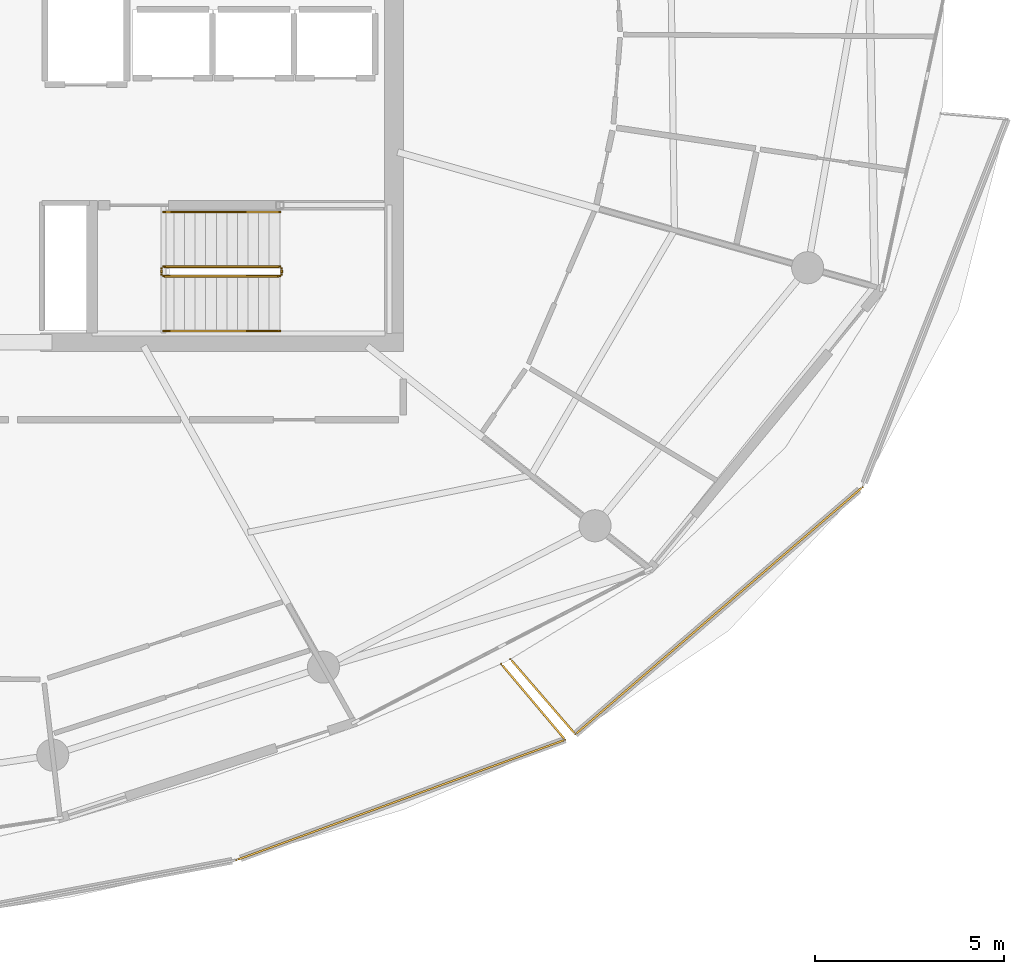
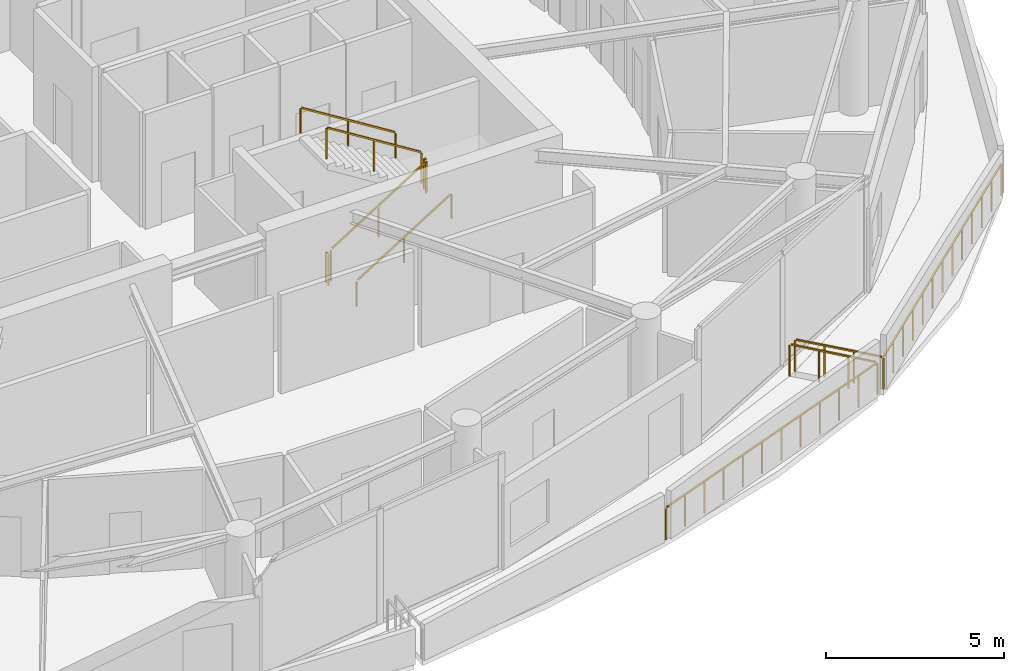
# One storey, part 18 of 20: 10 railings.
"""IFC4 building model written with IfcOpenShell, lengths in metres."""

from ifc_helpers import new_model, si_unit, direction, frame, origin, origin_2d, place, context, subcontext, project, spatial, rectangle, extrude, material, type_object, element, save


model = new_model("IFC4")

# Units and contexts
model_context = context("Model", 3, precision=1e-05, world=origin(), true_north=direction((0.0, 1.0)))
body_context = subcontext(model_context, "Body", "Model", "MODEL_VIEW")
ifc_project = project(units=[si_unit("LENGTHUNIT", "METRE"), si_unit("AREAUNIT", "SQUARE_METRE"), si_unit("VOLUMEUNIT", "CUBIC_METRE"), si_unit("PLANEANGLEUNIT", "RADIAN"), si_unit("MASSUNIT", "GRAM", prefix="KILO")], contexts=[model_context])

# Site, building, storey
site_placement = place(None, origin())
site = spatial("IfcSite", under=ifc_project, at=site_placement, CompositionType="ELEMENT")
building_placement = place(site_placement, origin())
building = spatial("IfcBuilding", under=site, at=building_placement, Name="Kazma Halo Residences", CompositionType="ELEMENT")
storey_placement = place(building_placement, frame((0.0, 0.0, 317.89990234375)))
storey = spatial("IfcBuildingStorey", under=building, at=storey_placement, Name="L80", CompositionType="ELEMENT", Elevation=317.89990234375)

# Railings
ifc_material_1 = material(Name="Aluminium AW-6063 T6 Brushed Cap Rail", Category="aluminium")
railing_type_1 = type_object("IfcRailingType", Name="RLG-BAL-CAP-1120", PredefinedType="BALUSTRADE", material=ifc_material_1)
railing_1_placement = place(storey_placement, frame((55.134033203125, 20.0439453125, 0.0)))
element("IfcRailing", 1, at=railing_1_placement, inside=storey, type_object=railing_type_1, Name="L80 SSE wave balcony guard 3", PredefinedType="BALUSTRADE", context=body_context, shape_type="SweptSolid", body=[
    extrude(rectangle(XDim=0.050048828125, YDim=0.050048828125, at=origin_2d()), frame((0.0400390625, 0.0146484375, 1.09521484375), z_axis=(0.939112276344, 0.343610437007, 0.0), x_axis=(-0.343610437007, 0.939112276344, 0.0)), (0.0, 0.0, 1.0), 9.1806640625),
    extrude(rectangle(XDim=0.0400390625, YDim=0.0400390625, at=origin_2d()), origin(), (0.0, 0.0, 1.0), 1.05810546875),
    extrude(rectangle(XDim=0.0400390625, YDim=0.0400390625, at=origin_2d()), frame((0.791015625, 0.28955078125, 0.0)), (0.0, 0.0, 1.0), 1.05810546875),
    extrude(rectangle(XDim=0.0400390625, YDim=0.0400390625, at=origin_2d()), frame((1.58203125, 0.578857421875, 0.0)), (0.0, 0.0, 1.0), 1.05810546875),
    extrude(rectangle(XDim=0.0400390625, YDim=0.0400390625, at=origin_2d()), frame((2.373291015625, 0.868408203125, 0.0)), (0.0, 0.0, 1.0), 1.05810546875),
    extrude(rectangle(XDim=0.0400390625, YDim=0.0400390625, at=origin_2d()), frame((3.164306640625, 1.15771484375, 0.0)), (0.0, 0.0, 1.0), 1.05810546875),
    extrude(rectangle(XDim=0.0400390625, YDim=0.0400390625, at=origin_2d()), frame((3.955322265625, 1.447265625, 0.0)), (0.0, 0.0, 1.0), 1.05810546875),
    extrude(rectangle(XDim=0.0400390625, YDim=0.0400390625, at=origin_2d()), frame((4.746337890625, 1.736572265625, 0.0)), (0.0, 0.0, 1.0), 1.05810546875),
    extrude(rectangle(XDim=0.0400390625, YDim=0.0400390625, at=origin_2d()), frame((5.537353515625, 2.026123046875, 0.0)), (0.0, 0.0, 1.0), 1.05810546875),
    extrude(rectangle(XDim=0.0400390625, YDim=0.0400390625, at=origin_2d()), frame((6.328369140625, 2.3154296875, 0.0)), (0.0, 0.0, 1.0), 1.05810546875),
    extrude(rectangle(XDim=0.0400390625, YDim=0.0400390625, at=origin_2d()), frame((7.11962890625, 2.60498046875, 0.0)), (0.0, 0.0, 1.0), 1.05810546875),
    extrude(rectangle(XDim=0.0400390625, YDim=0.0400390625, at=origin_2d()), frame((7.91064453125, 2.894287109375, 0.0)), (0.0, 0.0, 1.0), 1.05810546875),
    extrude(rectangle(XDim=0.0400390625, YDim=0.0400390625, at=origin_2d()), frame((8.70166015625, 3.183837890625, 0.0)), (0.0, 0.0, 1.0), 1.05810546875),
])
railing_2_placement = place(storey_placement, frame((63.835693359375, 23.227783203125, 0.0)))
element("IfcRailing", 2, at=railing_2_placement, inside=storey, type_object=railing_type_1, Name="L80 SSE wave balcony guard 4", PredefinedType="BALUSTRADE", context=body_context, shape_type="SweptSolid", body=[
    extrude(rectangle(XDim=0.050048828125, YDim=0.050048828125, at=origin_2d()), frame((-0.02734375, 0.032470703125, 1.09521484375), z_axis=(-0.644794505139, 0.764355968213, 0.0), x_axis=(-0.764355968213, -0.644794505139, 0.0)), (0.0, 0.0, 1.0), 2.538818359375),
    extrude(rectangle(XDim=0.0400390625, YDim=0.0400390625, at=origin_2d()), origin(), (0.0, 0.0, 1.0), 1.05810546875),
    extrude(rectangle(XDim=0.0400390625, YDim=0.0400390625, at=origin_2d()), frame((-0.56396484375, 0.66845703125, 0.0)), (0.0, 0.0, 1.0), 1.05810546875),
    extrude(rectangle(XDim=0.0400390625, YDim=0.0400390625, at=origin_2d()), frame((-1.1279296875, 1.337158203125, 0.0)), (0.0, 0.0, 1.0), 1.05810546875),
    extrude(rectangle(XDim=0.0400390625, YDim=0.0400390625, at=origin_2d()), frame((-1.69189453125, 2.005615234375, 0.0)), (0.0, 0.0, 1.0), 1.05810546875),
])
railing_3_placement = place(storey_placement, frame((62.38818359375, 25.360595703125, 0.0)))
element("IfcRailing", 3, at=railing_3_placement, inside=storey, type_object=railing_type_1, Name="L80 SE wave balcony guard 1", PredefinedType="BALUSTRADE", context=body_context, shape_type="SweptSolid", body=[
    extrude(rectangle(XDim=0.050048828125, YDim=0.050048828125, at=origin_2d()), frame((0.02783203125, -0.0322265625, 1.09521484375), z_axis=(0.654067186759, -0.756436458142, 0.0), x_axis=(0.756436458142, 0.654067186759, 0.0)), (0.0, 0.0, 1.0), 2.54296875),
    extrude(rectangle(XDim=0.0400390625, YDim=0.0400390625, at=origin_2d()), origin(), (0.0, 0.0, 1.0), 1.05810546875),
    extrude(rectangle(XDim=0.0400390625, YDim=0.0400390625, at=origin_2d()), frame((0.572998046875, -0.66259765625, 0.0)), (0.0, 0.0, 1.0), 1.05810546875),
    extrude(rectangle(XDim=0.0400390625, YDim=0.0400390625, at=origin_2d()), frame((1.14599609375, -1.325439453125, 0.0)), (0.0, 0.0, 1.0), 1.05810546875),
    extrude(rectangle(XDim=0.0400390625, YDim=0.0400390625, at=origin_2d()), frame((1.718994140625, -1.988037109375, 0.0)), (0.0, 0.0, 1.0), 1.05810546875),
])
railing_4_placement = place(storey_placement, frame((64.107177734375, 23.37255859375, 0.0)))
element("IfcRailing", 4, at=railing_4_placement, inside=storey, type_object=railing_type_1, Name="L80 SE wave balcony guard 2", PredefinedType="BALUSTRADE", context=body_context, shape_type="SweptSolid", body=[
    extrude(rectangle(XDim=0.050048828125, YDim=0.050048828125, at=origin_2d()), frame((0.0322265625, 0.02783203125, 1.09521484375), z_axis=(0.757877408463, 0.652396990905, 0.0), x_axis=(-0.652396990905, 0.757877408463, 0.0)), (0.0, 0.0, 1.0), 9.948486328125),
    extrude(rectangle(XDim=0.0400390625, YDim=0.0400390625, at=origin_2d()), origin(), (0.0, 0.0, 1.0), 1.05810546875),
    extrude(rectangle(XDim=0.0400390625, YDim=0.0400390625, at=origin_2d()), frame((0.6337890625, 0.54541015625, 0.0)), (0.0, 0.0, 1.0), 1.05810546875),
    extrude(rectangle(XDim=0.0400390625, YDim=0.0400390625, at=origin_2d()), frame((1.267333984375, 1.091064453125, 0.0)), (0.0, 0.0, 1.0), 1.05810546875),
    extrude(rectangle(XDim=0.0400390625, YDim=0.0400390625, at=origin_2d()), frame((1.901123046875, 1.636474609375, 0.0)), (0.0, 0.0, 1.0), 1.05810546875),
    extrude(rectangle(XDim=0.0400390625, YDim=0.0400390625, at=origin_2d()), frame((2.53466796875, 2.181884765625, 0.0)), (0.0, 0.0, 1.0), 1.05810546875),
    extrude(rectangle(XDim=0.0400390625, YDim=0.0400390625, at=origin_2d()), frame((3.16845703125, 2.7275390625, 0.0)), (0.0, 0.0, 1.0), 1.05810546875),
    extrude(rectangle(XDim=0.0400390625, YDim=0.0400390625, at=origin_2d()), frame((3.80224609375, 3.27294921875, 0.0)), (0.0, 0.0, 1.0), 1.05810546875),
    extrude(rectangle(XDim=0.0400390625, YDim=0.0400390625, at=origin_2d()), frame((4.435791015625, 3.818359375, 0.0)), (0.0, 0.0, 1.0), 1.05810546875),
    extrude(rectangle(XDim=0.0400390625, YDim=0.0400390625, at=origin_2d()), frame((5.069580078125, 4.364013671875, 0.0)), (0.0, 0.0, 1.0), 1.05810546875),
    extrude(rectangle(XDim=0.0400390625, YDim=0.0400390625, at=origin_2d()), frame((5.703125, 4.909423828125, 0.0)), (0.0, 0.0, 1.0), 1.05810546875),
    extrude(rectangle(XDim=0.0400390625, YDim=0.0400390625, at=origin_2d()), frame((6.3369140625, 5.454833984375, 0.0)), (0.0, 0.0, 1.0), 1.05810546875),
    extrude(rectangle(XDim=0.0400390625, YDim=0.0400390625, at=origin_2d()), frame((6.970458984375, 6.00048828125, 0.0)), (0.0, 0.0, 1.0), 1.05810546875),
    extrude(rectangle(XDim=0.0400390625, YDim=0.0400390625, at=origin_2d()), frame((7.604248046875, 6.5458984375, 0.0)), (0.0, 0.0, 1.0), 1.05810546875),
])
ifc_material_2 = material(Name="Painted Steel S355", Category="steel")
railing_type_2 = type_object("IfcRailingType", Name="RLG-STAIR-GRD-1100", PredefinedType="GUARDRAIL", material=ifc_material_2)
railing_5_placement = place(storey_placement, frame((53.199951171875, 35.5, 0.175048828125)))
element("IfcRailing", 5, at=railing_5_placement, inside=storey, type_object=railing_type_2, Name="L80 ST-03 stair guard 1", PredefinedType="GUARDRAIL", context=body_context, shape_type="SweptSolid", body=[
    extrude(rectangle(XDim=0.050048828125, YDim=0.050048828125, at=origin_2d()), frame((0.0361328125, 0.0, 1.09765625), z_axis=(0.847998304005, 0.0, 0.529998940003), x_axis=(0.0, 1.0, 0.0)), (0.0, 0.0, 1.0), 3.547119140625),
    extrude(rectangle(XDim=0.0400390625, YDim=0.0400390625, at=origin_2d()), origin(), (0.0, 0.0, 1.0), 1.0380859375),
    extrude(rectangle(XDim=0.0400390625, YDim=0.0400390625, at=origin_2d()), frame((1.5400390625, 0.0, 0.96240234375)), (0.0, 0.0, 1.0), 1.0380859375),
    extrude(rectangle(XDim=0.0400390625, YDim=0.0400390625, at=origin_2d()), frame((3.080078125, 0.0, 1.925048828125)), (0.0, 0.0, 1.0), 1.0380859375),
])
railing_6_placement = place(storey_placement, frame((56.330078125, 35.550048828125, 2.10009765625)))
element("IfcRailing", 6, at=railing_6_placement, inside=storey, type_object=railing_type_2, Name="L80 ST-03 stair guard 2", PredefinedType="GUARDRAIL", context=body_context, shape_type="SweptSolid", body=[
    extrude(rectangle(XDim=0.050048828125, YDim=0.050048828125, at=origin_2d()), frame((0.0, 0.04248046875, 1.0751953125), z_axis=(0.0, 1.0, 0.0), x_axis=(-1.0, 0.0, 0.0)), (0.0, 0.0, 1.0), 0.06494140625),
    extrude(rectangle(XDim=0.0400390625, YDim=0.0400390625, at=origin_2d()), origin(), (0.0, 0.0, 1.0), 1.0380859375),
    extrude(rectangle(XDim=0.0400390625, YDim=0.0400390625, at=origin_2d()), frame((0.0, 0.14990234375, 0.0)), (0.0, 0.0, 1.0), 1.0380859375),
])
railing_7_placement = place(storey_placement, frame((56.280029296875, 35.75, 2.275146484375)))
element("IfcRailing", 7, at=railing_7_placement, inside=storey, type_object=railing_type_2, Name="L80 ST-03 stair guard 3", PredefinedType="GUARDRAIL", context=body_context, shape_type="SweptSolid", body=[
    extrude(rectangle(XDim=0.050048828125, YDim=0.050048828125, at=origin_2d()), frame((-0.0361328125, 0.0, 1.09765625), z_axis=(-0.847998304005, 0.0, 0.529998940003), x_axis=(0.0, -1.0, 0.0)), (0.0, 0.0, 1.0), 3.547119140625),
    extrude(rectangle(XDim=0.0400390625, YDim=0.0400390625, at=origin_2d()), origin(), (0.0, 0.0, 1.0), 1.0380859375),
    extrude(rectangle(XDim=0.0400390625, YDim=0.0400390625, at=origin_2d()), frame((-1.5400390625, 0.0, 0.96240234375)), (0.0, 0.0, 1.0), 1.0380859375),
    extrude(rectangle(XDim=0.0400390625, YDim=0.0400390625, at=origin_2d()), frame((-3.080078125, 0.0, 1.925048828125)), (0.0, 0.0, 1.0), 1.0380859375),
])
railing_8_placement = place(storey_placement, frame((53.14990234375, 35.550048828125, 0.0)))
element("IfcRailing", 8, at=railing_8_placement, inside=storey, type_object=railing_type_2, Name="L80 ST-03 stair guard 4", PredefinedType="GUARDRAIL", context=body_context, shape_type="SweptSolid", body=[
    extrude(rectangle(XDim=0.050048828125, YDim=0.050048828125, at=origin_2d()), frame((0.0, 0.04248046875, 1.0751953125), z_axis=(0.0, 1.0, 0.0), x_axis=(-1.0, 0.0, 0.0)), (0.0, 0.0, 1.0), 0.06494140625),
    extrude(rectangle(XDim=0.0400390625, YDim=0.0400390625, at=origin_2d()), origin(), (0.0, 0.0, 1.0), 1.0380859375),
    extrude(rectangle(XDim=0.0400390625, YDim=0.0400390625, at=origin_2d()), frame((0.0, 0.14990234375, 0.0)), (0.0, 0.0, 1.0), 1.0380859375),
])
ifc_material_3 = material(Name="Brushed Stainless Steel", Category="steel")
railing_type_3 = type_object("IfcRailingType", Name="RLG-STAIR-HND-900", PredefinedType="HANDRAIL", material=ifc_material_3)
railing_9_placement = place(storey_placement, frame((53.199951171875, 34.050048828125, 0.175048828125)))
element("IfcRailing", 9, at=railing_9_placement, inside=storey, type_object=railing_type_3, Name="L80 ST-03 stair handrail 1", PredefinedType="HANDRAIL", context=body_context, shape_type="SweptSolid", body=[
    extrude(rectangle(XDim=0.050048828125, YDim=0.050048828125, at=origin_2d()), frame((0.0361328125, 0.0, 0.8974609375), z_axis=(0.847998304005, 0.0, 0.529998940003), x_axis=(0.0, 1.0, 0.0)), (0.0, 0.0, 1.0), 3.547119140625),
    extrude(rectangle(XDim=0.0400390625, YDim=0.0400390625, at=origin_2d()), origin(), (0.0, 0.0, 1.0), 0.837890625),
    extrude(rectangle(XDim=0.0400390625, YDim=0.0400390625, at=origin_2d()), frame((1.5400390625, 0.0, 0.96240234375)), (0.0, 0.0, 1.0), 0.837890625),
    extrude(rectangle(XDim=0.0400390625, YDim=0.0400390625, at=origin_2d()), frame((3.080078125, 0.0, 1.925048828125)), (0.0, 0.0, 1.0), 0.837890625),
])
railing_10_placement = place(storey_placement, frame((56.280029296875, 37.199951171875, 2.275146484375)))
element("IfcRailing", 10, at=railing_10_placement, inside=storey, type_object=railing_type_3, Name="L80 ST-03 stair handrail 2", PredefinedType="HANDRAIL", context=body_context, shape_type="SweptSolid", body=[
    extrude(rectangle(XDim=0.050048828125, YDim=0.050048828125, at=origin_2d()), frame((-0.0361328125, 0.0, 0.8974609375), z_axis=(-0.847998304005, 0.0, 0.529998940003), x_axis=(0.0, -1.0, 0.0)), (0.0, 0.0, 1.0), 3.547119140625),
    extrude(rectangle(XDim=0.0400390625, YDim=0.0400390625, at=origin_2d()), origin(), (0.0, 0.0, 1.0), 0.837890625),
    extrude(rectangle(XDim=0.0400390625, YDim=0.0400390625, at=origin_2d()), frame((-1.5400390625, 0.0, 0.96240234375)), (0.0, 0.0, 1.0), 0.837890625),
    extrude(rectangle(XDim=0.0400390625, YDim=0.0400390625, at=origin_2d()), frame((-3.080078125, 0.0, 1.925048828125)), (0.0, 0.0, 1.0), 0.837890625),
])

save(model, "model.ifc")
